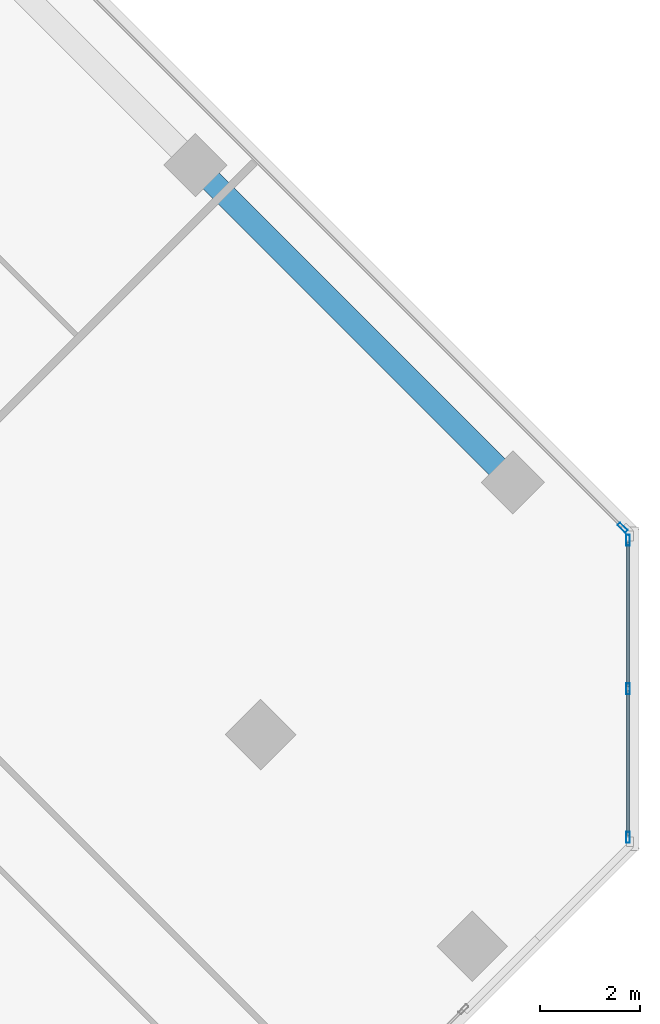
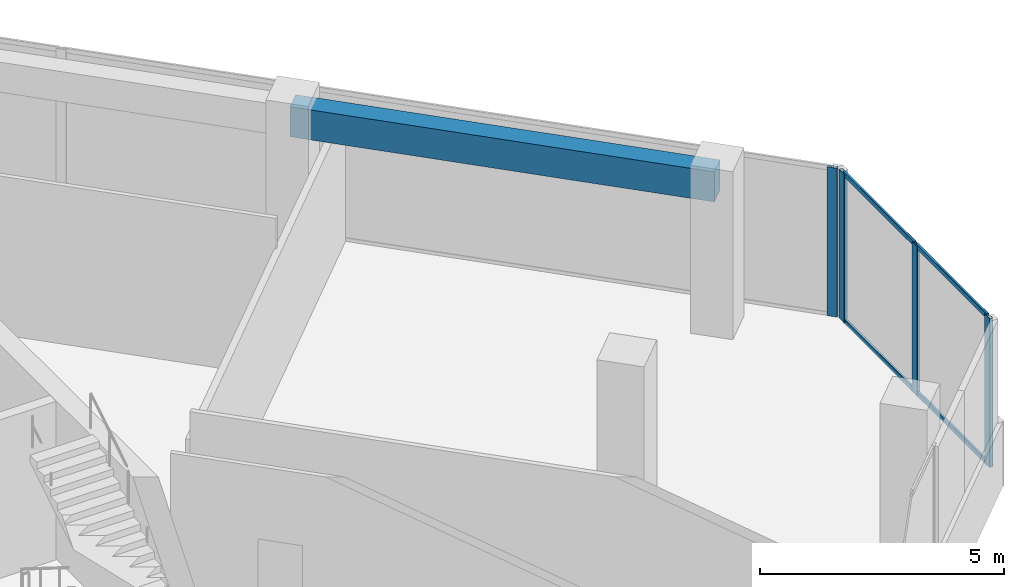
# One storey, part 7 of 18: 8 members, 1 beam, 2 elements without a shape of their own.
"""IFC4 building model written with IfcOpenShell, lengths in metres."""

from ifc_helpers import new_model, si_unit, direction, frame, origin, origin_2d, place, context, subcontext, project, spatial, rectangle, hollow_rectangle, extrude, source, transform, mapped, material, material_profile, profile_set, type_object, element, aggregate, save


model = new_model("IFC4")

# Units and contexts
model_context = context("Model", 3, precision=1e-05, world=origin(), true_north=direction((0.0, 1.0)))
body_context = subcontext(model_context, "Body", "Model", "MODEL_VIEW")
ifc_project = project(units=[si_unit("LENGTHUNIT", "METRE"), si_unit("AREAUNIT", "SQUARE_METRE"), si_unit("VOLUMEUNIT", "CUBIC_METRE"), si_unit("PLANEANGLEUNIT", "RADIAN"), si_unit("MASSUNIT", "GRAM", prefix="KILO")], contexts=[model_context])

# Site, building, storey
site_placement = place(None, origin())
site = spatial("IfcSite", under=ifc_project, at=site_placement, CompositionType="ELEMENT")
building_placement = place(site_placement, origin())
building = spatial("IfcBuilding", under=site, at=building_placement, Name="Torre Montelarca", CompositionType="ELEMENT")
storey_placement = place(building_placement, frame((0.0, 0.0, 245.800048828125)))
storey = spatial("IfcBuildingStorey", under=building, at=storey_placement, Name="L55", CompositionType="ELEMENT", Elevation=245.800048828125)

# Beam
ifc_material_1 = material(Name="Concrete C55/67", Category="concrete")
ifc_material_profile_1 = material_profile(ifc_material_1, rectangle(XDim=0.449951171875, YDim=0.75, at=origin_2d()), Name="RCB450X750", Category="concrete")
ifc_profile_set_1 = profile_set([ifc_material_profile_1], Name="Concrete C55/67")
beam_type = type_object("IfcBeamType", Name="BM-SP-RC750-EXT", PredefinedType="SPANDREL", material=ifc_profile_set_1)
shared_shape_1 = source(origin(), body_context, "Body", "SweptSolid", [
    extrude(rectangle(XDim=0.449951171875, YDim=0.75, at=origin_2d()), origin(), (0.0, 0.0, 1.0), 9.0),
])
beam_placement = place(storey_placement, frame((36.101806640625, 38.823486328125, 3.5849609375), z_axis=(0.707120344572, -0.70709321754, 0.0), x_axis=(0.70709321754, 0.707120344572, 0.0)))
element("IfcBeam", 1, at=beam_placement, inside=storey, type_object=beam_type, Name="L55 Grid Girder X 27.0-36.0 at Y=47.1", PredefinedType="SPANDREL", context=body_context, shape_type="MappedRepresentation", body=[
    mapped(shared_shape_1, transform((0.0, 0.0, 0.0), scale=1.0)),
])

# Curtain wall, members
ifc_material_2 = material(Name="Insulated low-E laminated glass", Category="glass")
curtain_wall_type = type_object("IfcCurtainWallType", Name="CW-SYS-Z3", PredefinedType="USERDEFINED", material=ifc_material_2)
curtain_wall_1_placement = place(storey_placement, origin())
curtain_wall_1 = element("IfcCurtainWall", 2, at=curtain_wall_1_placement, inside=storey, type_object=curtain_wall_type, Name="L55 Curtain Wall Run CW-T3-L55-E07-B1", ObjectType="UNITISED GLAZING", PredefinedType="USERDEFINED")
ifc_material_3 = material(Name="Anodised aluminium AA 6063-T6", Category="aluminium")
ifc_material_profile_2 = material_profile(ifc_material_3, hollow_rectangle(XDim=0.054931640625, YDim=0.1201171875, WallThickness=0.00341796875, InnerFilletRadius=0.00341796875, OuterFilletRadius=0.007080078125, at=origin_2d()), Name="ALU55X120X3.5", Category="aluminium")
ifc_profile_set_2 = profile_set([ifc_material_profile_2], Name="Anodised aluminium AA 6063-T6")
member_type_1 = type_object("IfcMemberType", Name="CWT-ALU120", PredefinedType="USERDEFINED", material=ifc_profile_set_2)
shared_shape_2 = source(origin(), body_context, "Body", "SweptSolid", [
    extrude(hollow_rectangle(XDim=0.054931640625, YDim=0.1201171875, WallThickness=0.00341796875, InnerFilletRadius=0.00341796875, OuterFilletRadius=0.007080078125, at=origin_2d()), origin(), (0.0, 0.0, 1.0), 2.903564453125),
])
member_1_placement = place(storey_placement, frame((44.775146484375, 28.360595703125, 0.02734375), z_axis=(0.0, 1.0, 0.0), x_axis=(-1.0, 0.0, 0.0)))
member_1 = element("IfcMember", 3, at=member_1_placement, type_object=member_type_1, Name="CW transom 2.1", ObjectType="TRANSOM", PredefinedType="USERDEFINED", context=body_context, shape_type="MappedRepresentation", body=[
    mapped(shared_shape_2, transform((0.0, 0.0, 0.0), scale=1.0)),
])
member_2_placement = place(storey_placement, frame((44.775146484375, 28.360595703125, 3.6923828125), z_axis=(0.0, 1.0, 0.0), x_axis=(-1.0, 0.0, 0.0)))
member_2 = element("IfcMember", 4, at=member_2_placement, type_object=member_type_1, Name="CW transom 2.2", ObjectType="TRANSOM", PredefinedType="USERDEFINED", context=body_context, shape_type="MappedRepresentation", body=[
    mapped(shared_shape_2, transform((0.0, 0.0, 0.0), scale=1.0)),
])
ifc_material_profile_3 = material_profile(ifc_material_3, hollow_rectangle(XDim=0.074951171875, YDim=0.219970703125, WallThickness=0.0048828125, InnerFilletRadius=0.0048828125, OuterFilletRadius=0.010009765625, at=origin_2d()), Name="ALU75X220X5", Category="aluminium")
ifc_profile_set_3 = profile_set([ifc_material_profile_3], Name="Anodised aluminium AA 6063-T6")
member_type_2 = type_object("IfcMemberType", Name="CWM-ALU220", PredefinedType="MULLION", material=ifc_profile_set_3)
shared_shape_3 = source(origin(), body_context, "Body", "SweptSolid", [
    extrude(hollow_rectangle(XDim=0.074951171875, YDim=0.219970703125, WallThickness=0.0048828125, InnerFilletRadius=0.0048828125, OuterFilletRadius=0.010009765625, at=origin_2d()), origin(), (0.0, 0.0, 1.0), 3.719970703125),
])
member_3_placement = place(storey_placement, frame((44.775146484375, 25.344482421875, 0.0), z_axis=(0.0, 0.0, 1.0), x_axis=(-1.0, 0.0, 0.0)))
member_3 = element("IfcMember", 5, at=member_3_placement, type_object=member_type_2, Name="CW mullion 1", PredefinedType="MULLION", context=body_context, shape_type="MappedRepresentation", body=[
    mapped(shared_shape_3, transform((0.0, 0.0, 0.0), scale=1.0)),
])
member_4_placement = place(storey_placement, frame((44.775146484375, 28.322998046875, 0.0), z_axis=(0.0, 0.0, 1.0), x_axis=(-1.0, 0.0, 0.0)))
member_4 = element("IfcMember", 6, at=member_4_placement, type_object=member_type_2, Name="CW mullion 2", PredefinedType="MULLION", context=body_context, shape_type="MappedRepresentation", body=[
    mapped(shared_shape_3, transform((0.0, 0.0, 0.0), scale=1.0)),
])
member_5_placement = place(storey_placement, frame((44.775146484375, 31.3017578125, 0.0), z_axis=(0.0, 0.0, 1.0), x_axis=(-1.0, 0.0, 0.0)))
member_5 = element("IfcMember", 7, at=member_5_placement, type_object=member_type_2, Name="CW mullion 3", PredefinedType="MULLION", context=body_context, shape_type="MappedRepresentation", body=[
    mapped(shared_shape_3, transform((0.0, 0.0, 0.0), scale=1.0)),
])

# Curtain wall, member
curtain_wall_2_placement = place(storey_placement, origin())
curtain_wall_2 = element("IfcCurtainWall", 8, at=curtain_wall_2_placement, inside=storey, type_object=curtain_wall_type, Name="L55 Curtain Wall Run CW-T3-L55-E08-B1", ObjectType="UNITISED GLAZING", PredefinedType="USERDEFINED")
member_6_placement = place(storey_placement, frame((44.66943359375, 31.556884765625, 0.0), z_axis=(0.0, 0.0, 1.0), x_axis=(-0.707108307056, -0.707105255314, 0.0)))
member_6 = element("IfcMember", 9, at=member_6_placement, type_object=member_type_2, Name="CW mullion 1", PredefinedType="MULLION", context=body_context, shape_type="MappedRepresentation", body=[
    mapped(shared_shape_3, transform((0.0, 0.0, 0.0), scale=1.0)),
])
aggregate(curtain_wall_2, [member_6])

# Member
shared_shape_4 = source(origin(), body_context, "Body", "SweptSolid", [
    extrude(hollow_rectangle(XDim=0.054931640625, YDim=0.1201171875, WallThickness=0.00341796875, InnerFilletRadius=0.00341796875, OuterFilletRadius=0.007080078125, at=origin_2d()), origin(), (0.0, 0.0, 1.0), 2.90380859375),
])
member_7_placement = place(storey_placement, frame((44.775146484375, 25.3818359375, 0.02734375), z_axis=(0.0, 1.0, 0.0), x_axis=(-1.0, 0.0, 0.0)))
member_7 = element("IfcMember", 10, at=member_7_placement, type_object=member_type_1, Name="CW transom 1.1", ObjectType="TRANSOM", PredefinedType="USERDEFINED", context=body_context, shape_type="MappedRepresentation", body=[
    mapped(shared_shape_4, transform((0.0, 0.0, 0.0), scale=1.0)),
])

member_8_placement = place(storey_placement, frame((44.775146484375, 25.3818359375, 3.6923828125), z_axis=(0.0, 1.0, 0.0), x_axis=(-1.0, 0.0, 0.0)))
member_8 = element("IfcMember", 11, at=member_8_placement, type_object=member_type_1, Name="CW transom 1.2", ObjectType="TRANSOM", PredefinedType="USERDEFINED", context=body_context, shape_type="MappedRepresentation", body=[
    mapped(shared_shape_4, transform((0.0, 0.0, 0.0), scale=1.0)),
])

aggregate(curtain_wall_1, [member_3, member_4, member_5, member_7, member_8, member_1, member_2])

save(model, "model.ifc")
